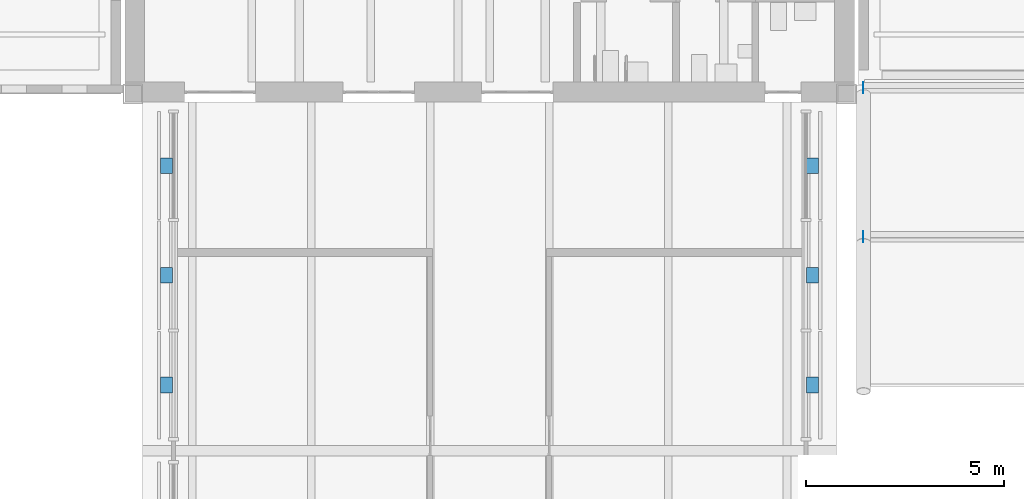
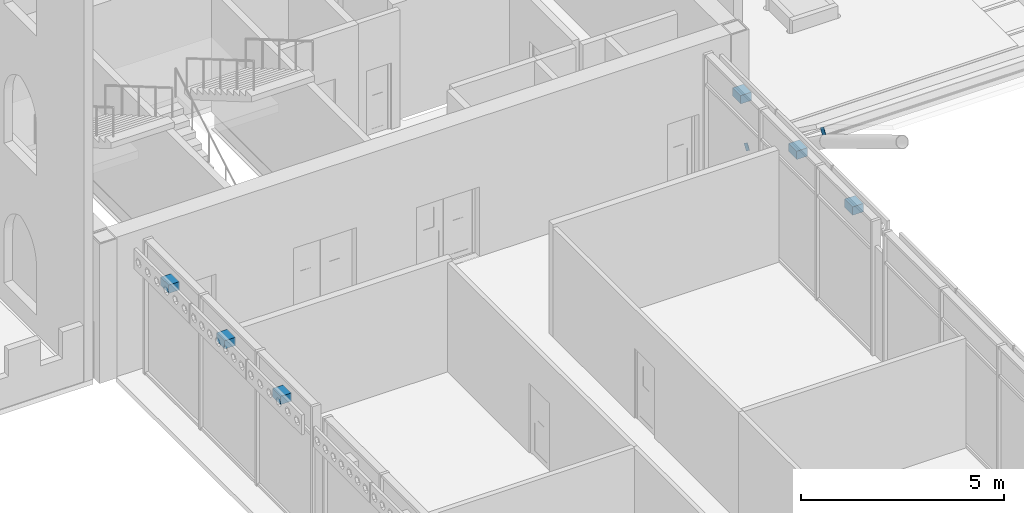
# One storey, part 121 of 153: 8 discrete accessories.
"""IFC4 building model written with IfcOpenShell, lengths in metres."""

from ifc_helpers import new_model, si_unit, direction, frame, origin, origin_2d, place, context, subcontext, project, spatial, rectangle, extrude, material, type_object, element, save


model = new_model("IFC4")

# Units and contexts
model_context = context("Model", 3, precision=1e-05, world=origin(), true_north=direction((0.0, 1.0)))
body_context = subcontext(model_context, "Body", "Model", "MODEL_VIEW")
ifc_project = project(units=[si_unit("LENGTHUNIT", "METRE"), si_unit("AREAUNIT", "SQUARE_METRE"), si_unit("VOLUMEUNIT", "CUBIC_METRE"), si_unit("PLANEANGLEUNIT", "RADIAN"), si_unit("MASSUNIT", "GRAM", prefix="KILO")], contexts=[model_context])

# Site, building, storey
site_placement = place(None, origin())
site = spatial("IfcSite", under=ifc_project, at=site_placement, CompositionType="ELEMENT")
building_placement = place(site_placement, origin())
building = spatial("IfcBuilding", under=site, at=building_placement, Name="Baradari Gate Terminus", CompositionType="ELEMENT")
storey_placement = place(building_placement, frame((0.0, 0.0, 11.699951171875)))
storey = spatial("IfcBuildingStorey", under=building, at=storey_placement, Name="L02", CompositionType="ELEMENT", Elevation=11.699951171875)

# Discrete accessories
ifc_material_1 = material(Name="Steel S355", Category="steel")
discrete_accessory_type_1 = type_object("IfcDiscreteAccessoryType", Name="Hollow section end plate EP-1 200x200x10", PredefinedType="ANCHORPLATE", material=ifc_material_1)
for number, where, z_axis, x_axis, name in (
    (1, (90.417724609375, 77.397216796875, 3.10791015625), (1.0, 0.0, 0.0), (0.0, 0.832836263724, -0.55351942859), "End plate EP-1 at the start of TR/L02/B99-PU11"),
    (2, (90.417724609375, 81.1572265625, 0.350830078125), (1.0, 0.0, 0.0), (0.0, 0.80640499586, -0.591363663621), "End plate EP-1 at the start of TR/L02/B99-PU12"),
):
    element("IfcDiscreteAccessory", number, at=place(storey_placement, frame(where, z_axis=z_axis, x_axis=x_axis)), inside=storey, type_object=discrete_accessory_type_1, Name=name, PredefinedType="ANCHORPLATE", context=body_context, shape_type="SweptSolid", body=[
        extrude(rectangle(XDim=0.199951171875, YDim=0.199951171875, at=origin_2d()), origin(), (0.0, 0.0, 1.0), 0.010009765625),
    ])
ifc_material_2 = material(Name="Stainless steel 316", Category="steel")
discrete_accessory_type_2 = type_object("IfcDiscreteAccessoryType", Name="Jali screen bracket BK-2 stainless steel", PredefinedType="BRACKET", material=ifc_material_2)
for number, where, z_axis, x_axis, name in (
    (3, (72.8525390625, 73.66162109375, 3.455078125), (0.0, 0.0, 1.0), (-1.0, 0.0, 0.0), "Jali screen bracket BK-2 L02/GW5 bay 1"),
    (4, (72.8525390625, 76.425048828125, 3.455078125), (0.0, 0.0, 1.0), (-1.0, 0.0, 0.0), "Jali screen bracket BK-2 L02/GW5 bay 2"),
    (5, (72.8525390625, 79.188232421875, 3.455078125), (0.0, 0.0, 1.0), (-1.0, 0.0, 0.0), "Jali screen bracket BK-2 L02/GW5 bay 3"),
    (6, (89.1474609375, 73.66162109375, 3.455078125), (0.0, 0.0, 1.0), (1.0, 0.0, 0.0), "Jali screen bracket BK-2 L02/GE5 bay 1"),
    (7, (89.1474609375, 76.425048828125, 3.455078125), (0.0, 0.0, 1.0), (1.0, 0.0, 0.0), "Jali screen bracket BK-2 L02/GE5 bay 2"),
    (8, (89.1474609375, 79.188232421875, 3.455078125), (0.0, 0.0, 1.0), (1.0, 0.0, 0.0), "Jali screen bracket BK-2 L02/GE5 bay 3"),
):
    element("IfcDiscreteAccessory", number, at=place(storey_placement, frame(where, z_axis=z_axis, x_axis=x_axis)), inside=storey, type_object=discrete_accessory_type_2, Name=name, PredefinedType="BRACKET", context=body_context, shape_type="SweptSolid", body=[
        extrude(rectangle(XDim=0.304931640625, YDim=0.39990234375, at=origin_2d()), origin(), (0.0, 0.0, 1.0), 0.25),
    ])

save(model, "model.ifc")
